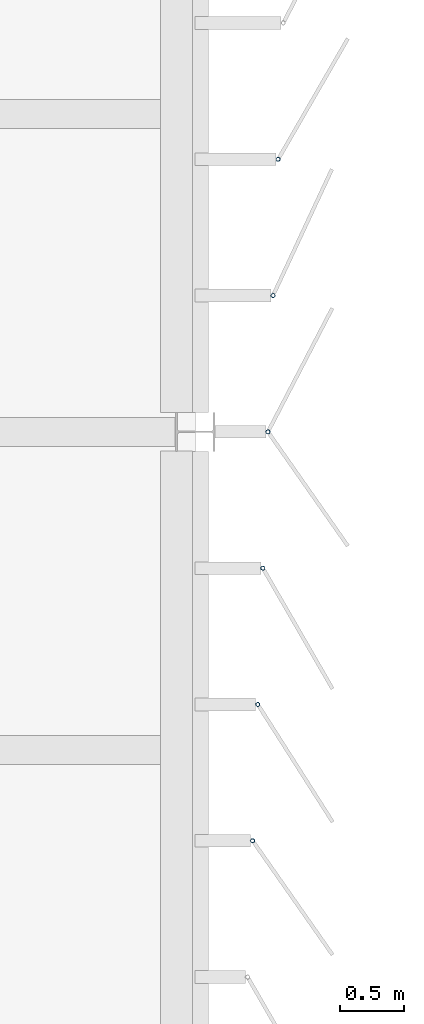
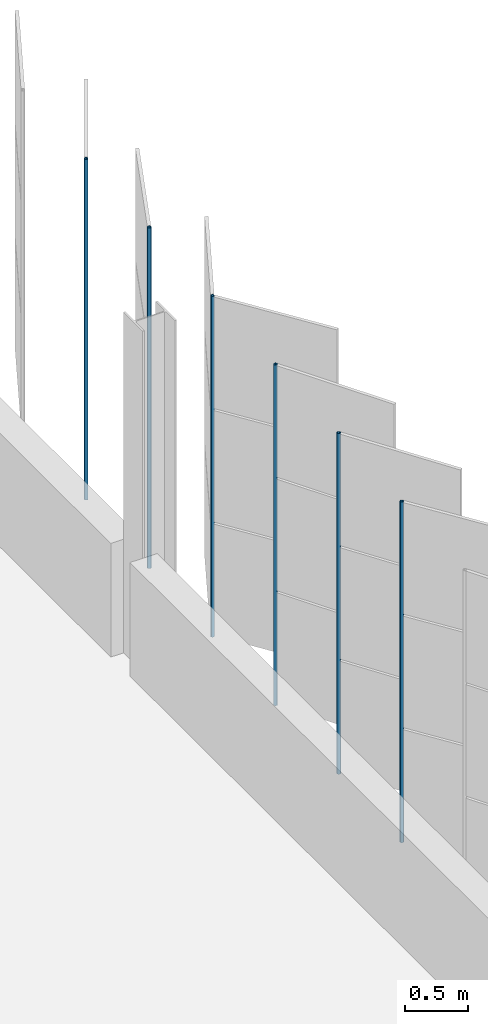
# One storey, part 134 of 214: 6 discrete accessories.
"""IFC4 building model written with IfcOpenShell, lengths in metres."""

from ifc_helpers import new_model, si_unit, direction, frame, origin, origin_2d, place, context, subcontext, project, spatial, hollow_circle, extrude, material, material_profile, profile_set, type_object, element, save


model = new_model("IFC4")

# Units and contexts
model_context = context("Model", 3, precision=1e-05, world=origin(), true_north=direction((0.0, 1.0)))
body_context = subcontext(model_context, "Body", "Model", "MODEL_VIEW")
ifc_project = project(units=[si_unit("LENGTHUNIT", "METRE"), si_unit("AREAUNIT", "SQUARE_METRE"), si_unit("VOLUMEUNIT", "CUBIC_METRE"), si_unit("PLANEANGLEUNIT", "RADIAN"), si_unit("MASSUNIT", "GRAM", prefix="KILO")], contexts=[model_context])

# Site, building, storey
site_placement = place(None, origin())
site = spatial("IfcSite", under=ifc_project, at=site_placement, CompositionType="ELEMENT")
building_placement = place(site_placement, origin())
building = spatial("IfcBuilding", under=site, at=building_placement, Name="Parallax Yard Mobility Hub", CompositionType="ELEMENT")
storey_placement = place(building_placement, frame((0.0, 0.0, 3.300048828125)))
storey = spatial("IfcBuildingStorey", under=building, at=storey_placement, Name="L01", CompositionType="ELEMENT", Elevation=3.300048828125)

# Discrete accessories
ifc_material = material(Name="Steel ASTM A500 Gr C, hot-dip galvanised", Category="steel")
ifc_material_profile = material_profile(ifc_material, hollow_circle(Radius=0.016845703125, WallThickness=0.003173828125, at=origin_2d()), Name="CHS 33.7x3.2")
ifc_profile_set = profile_set([ifc_material_profile], Name="Steel ASTM A500 Gr C, hot-dip galvanised")
discrete_accessory_type = type_object("IfcDiscreteAccessoryType", Name="Hinge post CHS 33.7x3.2", PredefinedType="BRACKET", material=ifc_profile_set)
for number, where, z_axis, x_axis, name in (
    (1, (225.450927734375, 79.28515625, 0.0), (0.0, 0.0, 1.0), (1.0, 0.0, 0.0), "Hinge post bay 39.5 level L01"),
    (2, (225.4912109375, 80.356689453125, 0.0), (0.0, 0.0, 1.0), (1.0, 0.0, 0.0), "Hinge post bay 39.6 level L01"),
    (3, (225.53125, 81.4287109375, 0.0), (0.0, 0.0, 1.0), (1.0, 0.0, 0.0), "Hinge post bay 39.7 level L01"),
    (4, (225.5712890625, 82.500244140625, 0.0), (0.0, 0.0, 1.0), (1.0, 0.0, 0.0), "Hinge post bay 40.1 level L01"),
    (5, (225.611328125, 83.572021484375, 0.0), (0.0, 0.0, 1.0), (1.0, 0.0, 0.0), "Hinge post bay 40.2 level L01"),
    (6, (225.651611328125, 84.643798828125, 0.0), (0.0, 0.0, 1.0), (1.0, 0.0, 0.0), "Hinge post bay 40.3 level L01"),
):
    element("IfcDiscreteAccessory", number, at=place(storey_placement, frame(where, z_axis=z_axis, x_axis=x_axis)), inside=storey, type_object=discrete_accessory_type, Name=name, PredefinedType="BRACKET", context=body_context, shape_type="SweptSolid", body=[
        extrude(hollow_circle(Radius=0.016845703125, WallThickness=0.003173828125, at=origin_2d()), origin(), (0.0, 0.0, 1.0), 3.300048828125),
    ])

save(model, "model.ifc")
